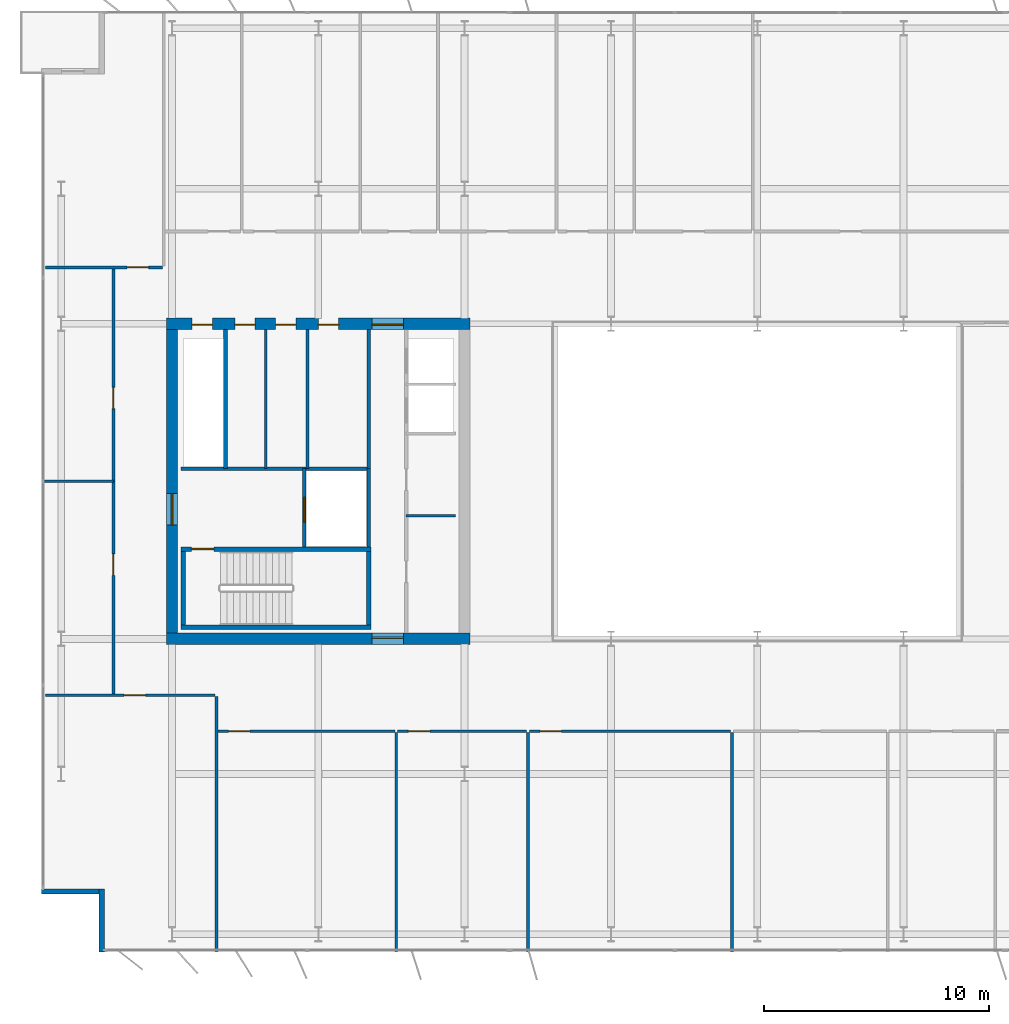
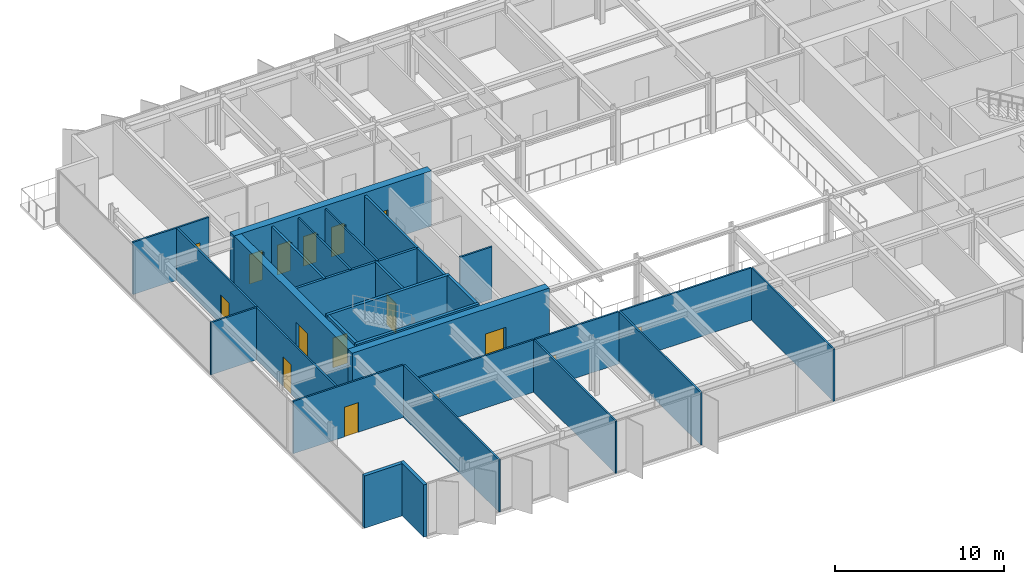
# One storey, part 13 of 20: 29 walls, 16 doors, 16 openings.
"""IFC4 building model written with IfcOpenShell, lengths in metres."""

from ifc_helpers import new_model, si_unit, direction, frame, frame_2d, origin, place, context, subcontext, project, spatial, rectangle, extrude, material, layer, layer_set, type_object, element, fill, save


model = new_model("IFC4")

# Units and contexts
model_context = context("Model", 3, precision=1e-05, world=origin(), true_north=direction((0.0, 1.0)))
body_context = subcontext(model_context, "Body", "Model", "MODEL_VIEW")
ifc_project = project(units=[si_unit("LENGTHUNIT", "METRE"), si_unit("AREAUNIT", "SQUARE_METRE"), si_unit("VOLUMEUNIT", "CUBIC_METRE"), si_unit("PLANEANGLEUNIT", "RADIAN"), si_unit("MASSUNIT", "GRAM", prefix="KILO")], contexts=[model_context])

# Site, building, storey
site_placement = place(None, origin())
site = spatial("IfcSite", under=ifc_project, at=site_placement, CompositionType="ELEMENT")
building_placement = place(site_placement, origin())
building = spatial("IfcBuilding", under=site, at=building_placement, Name="Putna Gate Headquarters", CompositionType="ELEMENT")
storey_placement = place(building_placement, frame((0.0, 0.0, 282.39990234375)))
storey = spatial("IfcBuildingStorey", under=building, at=storey_placement, Name="L71", CompositionType="ELEMENT", Elevation=282.39990234375)

# Wall, opening, door
ifc_material_1 = material(Name="Concrete C50/60", Category="concrete")
ifc_layer_1 = layer(ifc_material_1, 0.5)
ifc_layer_set_1 = layer_set([ifc_layer_1], Name="Concrete C50/60")
wall_type_1 = type_object("IfcWallType", Name="WALL-CORE-500", PredefinedType="SHEAR", material=ifc_layer_set_1)
wall_1_placement = place(storey_placement, frame((12.75, 19.0, 0.0), z_axis=(0.0, 0.0, 1.0), x_axis=(1.0, 0.0, 0.0)))
wall_1 = element("IfcWall", 1, at=wall_1_placement, inside=storey, type_object=wall_type_1, Name="L71 WC Split Core Shear Wall S", PredefinedType="SHEAR", context=body_context, shape_type="SweptSolid", body=[
    extrude(rectangle(XDim=13.5, YDim=0.5, at=frame_2d((6.75, 0.0))), origin(), (0.0, 0.0, 1.0), 4.0),
])
opening_1_placement = place(wall_1_placement, frame((9.1298828125, 0.0, 0.0)))
opening_1 = element("IfcOpeningElement", 2, at=opening_1_placement, cuts=wall_1, Name="Opening FDD-140", PredefinedType="OPENING", context=body_context, shape_type="SweptSolid", body=[
    extrude(rectangle(XDim=1.39990234375, YDim=2.199951171875, at=frame_2d((0.699951171875, 1.10009765625))), frame((0.0, 0.260009765625, 0.0), z_axis=(0.0, -1.0, 0.0), x_axis=(1.0, 0.0, 0.0)), (0.0, 0.0, 1.0), 0.52001953125),
])
ifc_material_2 = material(Name="Double steel fire door", Category="steel")
door_type_1 = type_object("IfcDoorType", Name="DOOR-FIRE-DBL-1400", OperationType="DOUBLE_DOOR_SINGLE_SWING", PredefinedType="DOOR", material=ifc_material_2)
door_1_placement = place(opening_1_placement, origin())
door_1 = element("IfcDoor", 3, at=door_1_placement, inside=storey, type_object=door_type_1, Name="L71 West Lift Lobby South Door", OperationType="DOUBLE_DOOR_SINGLE_SWING", OverallHeight=2.199951171875, OverallWidth=1.39990234375, PredefinedType="DOOR", context=body_context, shape_type="SweptSolid", body=[
    extrude(rectangle(XDim=1.39990234375, YDim=2.199951171875, at=frame_2d((0.699951171875, 1.10009765625))), frame((0.0, 0.0751953125, 0.0), z_axis=(0.0, -1.0, 0.0), x_axis=(1.0, 0.0, 0.0)), (0.0, 0.0, 1.0), 0.050048828125),
])
fill(opening_1, door_1)

# Wall, openings, doors
wall_2_placement = place(storey_placement, frame((12.75, 33.0, 0.0), z_axis=(0.0, 0.0, 1.0), x_axis=(1.0, 0.0, 0.0)))
wall_2 = element("IfcWall", 4, at=wall_2_placement, inside=storey, type_object=wall_type_1, Name="L71 WC Split Core Shear Wall N", PredefinedType="SHEAR", context=body_context, shape_type="SweptSolid", body=[
    extrude(rectangle(XDim=13.5, YDim=0.5, at=frame_2d((6.75, 0.0))), origin(), (0.0, 0.0, 1.0), 4.0),
])
opening_2_placement = place(wall_2_placement, frame((1.14990234375, 0.0, 0.0)))
opening_2 = element("IfcOpeningElement", 5, at=opening_2_placement, cuts=wall_2, Name="Opening RD-90", PredefinedType="OPENING", context=body_context, shape_type="SweptSolid", body=[
    extrude(rectangle(XDim=0.89990234375, YDim=2.14990234375, at=frame_2d((0.449951171875, 1.074951171875))), frame((0.0, 0.260009765625, 0.0), z_axis=(0.0, -1.0, 0.0), x_axis=(1.0, 0.0, 0.0)), (0.0, 0.0, 1.0), 0.52001953125),
])
opening_3_placement = place(wall_2_placement, frame((3.050048828125, 0.0, 0.0)))
opening_3 = element("IfcOpeningElement", 6, at=opening_3_placement, cuts=wall_2, Name="Opening IDS-90", PredefinedType="OPENING", context=body_context, shape_type="SweptSolid", body=[
    extrude(rectangle(XDim=0.89990234375, YDim=2.14990234375, at=frame_2d((0.449951171875, 1.074951171875))), frame((0.0, 0.260009765625, 0.0), z_axis=(0.0, -1.0, 0.0), x_axis=(1.0, 0.0, 0.0)), (0.0, 0.0, 1.0), 0.52001953125),
])
opening_4_placement = place(wall_2_placement, frame((4.85009765625, 0.0, 0.0)))
opening_4 = element("IfcOpeningElement", 7, at=opening_4_placement, cuts=wall_2, Name="Opening IDS-90", PredefinedType="OPENING", context=body_context, shape_type="SweptSolid", body=[
    extrude(rectangle(XDim=0.89990234375, YDim=2.14990234375, at=frame_2d((0.449951171875, 1.074951171875))), frame((0.0, 0.260009765625, 0.0), z_axis=(0.0, -1.0, 0.0), x_axis=(1.0, 0.0, 0.0)), (0.0, 0.0, 1.0), 0.52001953125),
])
opening_5_placement = place(wall_2_placement, frame((6.75, 0.0, 0.0)))
opening_5 = element("IfcOpeningElement", 8, at=opening_5_placement, cuts=wall_2, Name="Opening IDS-90", PredefinedType="OPENING", context=body_context, shape_type="SweptSolid", body=[
    extrude(rectangle(XDim=0.89990234375, YDim=2.14990234375, at=frame_2d((0.449951171875, 1.074951171875))), frame((0.0, 0.260009765625, 0.0), z_axis=(0.0, -1.0, 0.0), x_axis=(1.0, 0.0, 0.0)), (0.0, 0.0, 1.0), 0.52001953125),
])
opening_6_placement = place(wall_2_placement, frame((9.1298828125, 0.0, 0.0)))
opening_6 = element("IfcOpeningElement", 9, at=opening_6_placement, cuts=wall_2, Name="Opening FDD-140", PredefinedType="OPENING", context=body_context, shape_type="SweptSolid", body=[
    extrude(rectangle(XDim=1.39990234375, YDim=2.199951171875, at=frame_2d((0.699951171875, 1.10009765625))), frame((0.0, 0.260009765625, 0.0), z_axis=(0.0, -1.0, 0.0), x_axis=(1.0, 0.0, 0.0)), (0.0, 0.0, 1.0), 0.52001953125),
])
door_2_placement = place(opening_6_placement, origin())
door_2 = element("IfcDoor", 10, at=door_2_placement, inside=storey, type_object=door_type_1, Name="L71 West Lift Lobby North Door", OperationType="DOUBLE_DOOR_SINGLE_SWING", OverallHeight=2.199951171875, OverallWidth=1.39990234375, PredefinedType="DOOR", context=body_context, shape_type="SweptSolid", body=[
    extrude(rectangle(XDim=1.39990234375, YDim=2.199951171875, at=frame_2d((0.699951171875, 1.10009765625))), frame((0.0, -0.02490234375, 0.0), z_axis=(0.0, -1.0, 0.0), x_axis=(1.0, 0.0, 0.0)), (0.0, 0.0, 1.0), 0.050048828125),
])
fill(opening_6, door_2)
ifc_material_3 = material(Name="Fire-rated utility door")
door_type_2 = type_object("IfcDoorType", Name="DOOR-INT-900", OperationType="NOTDEFINED", PredefinedType="DOOR", material=ifc_material_3)
door_3_placement = place(opening_3_placement, origin())
door_3 = element("IfcDoor", 11, at=door_3_placement, inside=storey, type_object=door_type_2, Name="L71 Janitor Cupboard Door", OperationType="SINGLE_SWING_LEFT", OverallHeight=2.14990234375, OverallWidth=0.89990234375, PredefinedType="DOOR", context=body_context, shape_type="SweptSolid", body=[
    extrude(rectangle(XDim=0.89990234375, YDim=2.14990234375, at=frame_2d((0.449951171875, 1.074951171875))), frame((0.0, -0.02490234375, 0.0), z_axis=(0.0, -1.0, 0.0), x_axis=(1.0, 0.0, 0.0)), (0.0, 0.0, 1.0), 0.050048828125),
])
fill(opening_3, door_3)
door_4_placement = place(opening_4_placement, origin())
door_4 = element("IfcDoor", 12, at=door_4_placement, inside=storey, type_object=door_type_2, Name="L71 IT Patch Plant Door", OperationType="SINGLE_SWING_RIGHT", OverallHeight=2.14990234375, OverallWidth=0.89990234375, PredefinedType="DOOR", context=body_context, shape_type="SweptSolid", body=[
    extrude(rectangle(XDim=0.89990234375, YDim=2.14990234375, at=frame_2d((0.449951171875, 1.074951171875))), frame((0.0, -0.02490234375, 0.0), z_axis=(0.0, -1.0, 0.0), x_axis=(1.0, 0.0, 0.0)), (0.0, 0.0, 1.0), 0.050048828125),
])
fill(opening_4, door_4)
door_5_placement = place(opening_5_placement, origin())
door_5 = element("IfcDoor", 13, at=door_5_placement, inside=storey, type_object=door_type_2, Name="L71 Building Records Store Door", OperationType="SINGLE_SWING_LEFT", OverallHeight=2.14990234375, OverallWidth=0.89990234375, PredefinedType="DOOR", context=body_context, shape_type="SweptSolid", body=[
    extrude(rectangle(XDim=0.89990234375, YDim=2.14990234375, at=frame_2d((0.449951171875, 1.074951171875))), frame((0.0, -0.02490234375, 0.0), z_axis=(0.0, -1.0, 0.0), x_axis=(1.0, 0.0, 0.0)), (0.0, 0.0, 1.0), 0.050048828125),
])
fill(opening_5, door_5)
ifc_material_4 = material(Name="Steel riser access fire door", Category="steel")
door_type_3 = type_object("IfcDoorType", Name="DOOR-RISER-900", OperationType="NOTDEFINED", PredefinedType="DOOR", material=ifc_material_4)
door_6_placement = place(opening_2_placement, origin())
door_6 = element("IfcDoor", 14, at=door_6_placement, inside=storey, type_object=door_type_3, Name="L71 West Riser Access Door", OperationType="SINGLE_SWING_RIGHT", OverallHeight=2.14990234375, OverallWidth=0.89990234375, PredefinedType="DOOR", context=body_context, shape_type="SweptSolid", body=[
    extrude(rectangle(XDim=0.89990234375, YDim=2.14990234375, at=frame_2d((0.449951171875, 1.074951171875))), frame((0.0, -0.02490234375, 0.0), z_axis=(0.0, -1.0, 0.0), x_axis=(1.0, 0.0, 0.0)), (0.0, 0.0, 1.0), 0.050048828125),
])
fill(opening_2, door_6)

# Wall, opening, door
wall_3_placement = place(storey_placement, frame((13.0, 19.25, 0.0), z_axis=(0.0, 0.0, 1.0), x_axis=(0.0, 1.0, 0.0)))
wall_3 = element("IfcWall", 15, at=wall_3_placement, inside=storey, type_object=wall_type_1, Name="L71 WC Split Core Shear Wall W", PredefinedType="SHEAR", context=body_context, shape_type="SweptSolid", body=[
    extrude(rectangle(XDim=13.5, YDim=0.5, at=frame_2d((6.75, 0.0))), origin(), (0.0, 0.0, 1.0), 4.0),
])
opening_7_placement = place(wall_3_placement, frame((4.800048828125, 0.0, 0.0)))
opening_7 = element("IfcOpeningElement", 16, at=opening_7_placement, cuts=wall_3, Name="Opening FDD-140", PredefinedType="OPENING", context=body_context, shape_type="SweptSolid", body=[
    extrude(rectangle(XDim=1.39990234375, YDim=2.199951171875, at=frame_2d((0.699951171875, 1.10009765625))), frame((0.0, 0.260009765625, 0.0), z_axis=(0.0, -1.0, 0.0), x_axis=(1.0, 0.0, 0.0)), (0.0, 0.0, 1.0), 0.52001953125),
])
door_7_placement = place(opening_7_placement, origin())
door_7 = element("IfcDoor", 17, at=door_7_placement, inside=storey, type_object=door_type_1, Name="L71 West Firefighting Lobby Door", OperationType="DOUBLE_DOOR_SINGLE_SWING", OverallHeight=2.199951171875, OverallWidth=1.39990234375, PredefinedType="DOOR", context=body_context, shape_type="SweptSolid", body=[
    extrude(rectangle(XDim=1.39990234375, YDim=2.199951171875, at=frame_2d((0.699951171875, 1.10009765625))), frame((0.0, 0.02490234375, 0.0), z_axis=(0.0, -1.0, 0.0), x_axis=(1.0, 0.0, 0.0)), (0.0, 0.0, 1.0), 0.050048828125),
])
fill(opening_7, door_7)

# Walls
ifc_material_5 = material(Name="Precast concrete C40/50", Category="concrete")
ifc_layer_2 = layer(ifc_material_5, 0.239990234375)
ifc_layer_set_2 = layer_set([ifc_layer_2], Name="Precast concrete C40/50")
wall_type_2 = type_object("IfcWallType", Name="WALL-EXT-TERR-240", PredefinedType="STANDARD", material=ifc_layer_set_2)
wall_4_placement = place(storey_placement, frame((9.8798828125, 5.10009765625, 0.0), z_axis=(0.0, 0.0, 1.0), x_axis=(0.0, 1.0, 0.0)))
element("IfcWall", 18, at=wall_4_placement, inside=storey, type_object=wall_type_2, Name="L71 Corner Notch Return Wall SW-V", PredefinedType="STANDARD", context=body_context, shape_type="SweptSolid", body=[
    extrude(rectangle(XDim=2.7998046875, YDim=0.239990234375, at=frame_2d((1.39990234375, 0.0))), origin(), (0.0, 0.0, 1.0), 3.7880859375),
])
wall_5_placement = place(storey_placement, frame((10.0, 7.780029296875, 0.0), z_axis=(0.0, 0.0, 1.0), x_axis=(-1.0, 0.0, 0.0)))
element("IfcWall", 19, at=wall_5_placement, inside=storey, type_object=wall_type_2, Name="L71 Corner Notch Return Wall SW-H", PredefinedType="STANDARD", context=body_context, shape_type="SweptSolid", body=[
    extrude(rectangle(XDim=2.800048828125, YDim=0.239990234375, at=frame_2d((1.39990234375, 0.0))), origin(), (0.0, 0.0, 1.0), 3.7880859375),
])
ifc_material_6 = material(Name="Acoustic gypsum board on metal stud")
ifc_layer_3 = layer(ifc_material_6, 0.1201171875)
ifc_layer_set_3 = layer_set([ifc_layer_3], Name="Acoustic gypsum board on metal stud")
wall_type_3 = type_object("IfcWallType", Name="WALL-PART-120", PredefinedType="PARTITIONING", material=ifc_layer_set_3)
wall_6_placement = place(storey_placement, frame((14.975830078125, 5.1201171875, 0.0), z_axis=(0.0, 0.0, 1.0), x_axis=(0.0, 1.0, 0.0)))
element("IfcWall", 20, at=wall_6_placement, inside=storey, type_object=wall_type_3, Name="L71 Interior Wall PART-L71-SB-DIV-01", PredefinedType="PARTITIONING", context=body_context, shape_type="SweptSolid", body=[
    extrude(rectangle(XDim=11.31982421875, YDim=0.1201171875, at=frame_2d((5.659912109375, 0.0))), origin(), (0.0, 0.0, 1.0), 3.7880859375),
])
for number, where, z_axis, x_axis, name in (
    (21, (22.96240234375, 5.1201171875, 0.0), (0.0, 0.0, 1.0), (0.0, 1.0, 0.0), "L71 Interior Wall PART-L71-SB-DIV-02"),
    (22, (28.813720703125, 5.1201171875, 0.0), (0.0, 0.0, 1.0), (0.0, 1.0, 0.0), "L71 Interior Wall PART-L71-SB-DIV-03"),
    (23, (37.8740234375, 5.1201171875, 0.0), (0.0, 0.0, 1.0), (0.0, 1.0, 0.0), "L71 Interior Wall PART-L71-SB-DIV-04"),
):
    element("IfcWall", number, at=place(storey_placement, frame(where, z_axis=z_axis, x_axis=x_axis)), inside=storey, type_object=wall_type_3, Name=name, PredefinedType="PARTITIONING", context=body_context, shape_type="SweptSolid", body=[
        extrude(rectangle(XDim=9.719970703125, YDim=0.1201171875, at=frame_2d((4.85986328125, 0.0))), origin(), (0.0, 0.0, 1.0), 3.7880859375),
    ])
wall_7_placement = place(storey_placement, frame((7.219970703125, 26.0, 0.0), z_axis=(0.0, 0.0, 1.0), x_axis=(1.0, 0.0, 0.0)))
element("IfcWall", 24, at=wall_7_placement, inside=storey, type_object=wall_type_3, Name="L71 Interior Wall PART-L71-WW-DIV-1", PredefinedType="PARTITIONING", context=body_context, shape_type="SweptSolid", body=[
    extrude(rectangle(XDim=3.179931640625, YDim=0.1201171875, at=frame_2d((1.58984375, 0.0))), origin(), (0.0, 0.0, 1.0), 3.7880859375),
])
ifc_material_7 = material(Name="Fire-rated gypsum board on metal stud")
ifc_layer_4 = layer(ifc_material_7, 0.1201171875)
ifc_layer_set_4 = layer_set([ifc_layer_4], Name="Fire-rated gypsum board on metal stud")
wall_type_4 = type_object("IfcWallType", Name="WALL-PART-120-RATED", PredefinedType="PARTITIONING", material=ifc_layer_set_4)
for number, where, z_axis, x_axis, name in (
    (25, (17.169921875, 26.56005859375, 0.0), (0.0, 0.0, 1.0), (0.0, 1.0, 0.0), "L71 Interior Wall CWINT-L71-WC-K2-D1"),
    (26, (19.02001953125, 26.56005859375, 0.0), (0.0, 0.0, 1.0), (0.0, 1.0, 0.0), "L71 Interior Wall CWINT-L71-WC-K2-D2"),
):
    element("IfcWall", number, at=place(storey_placement, frame(where, z_axis=z_axis, x_axis=x_axis)), inside=storey, type_object=wall_type_4, Name=name, PredefinedType="PARTITIONING", context=body_context, shape_type="SweptSolid", body=[
        extrude(rectangle(XDim=6.18994140625, YDim=0.1201171875, at=frame_2d((3.094970703125, 0.0))), origin(), (0.0, 0.0, 1.0), 3.7880859375),
    ])
wall_8_placement = place(storey_placement, frame((23.39990234375, 24.469970703125, 0.0), z_axis=(0.0, 0.0, 1.0), x_axis=(1.0, 0.0, 0.0)))
element("IfcWall", 27, at=wall_8_placement, inside=storey, type_object=wall_type_4, Name="L71 Interior Wall CWINT-L71-WC-REUSE-DIV", PredefinedType="PARTITIONING", context=body_context, shape_type="SweptSolid", body=[
    extrude(rectangle(XDim=2.2001953125, YDim=0.1201171875, at=frame_2d((1.10009765625, 0.0))), origin(), (0.0, 0.0, 1.0), 3.7880859375),
])

# Wall, opening, door
wall_9_placement = place(storey_placement, frame((7.3798828125, 35.5, 0.0), z_axis=(0.0, 0.0, 1.0), x_axis=(1.0, 0.0, 0.0)))
wall_9 = element("IfcWall", 28, at=wall_9_placement, inside=storey, type_object=wall_type_4, Name="L71 Interior Wall PART-L71-NB-CW-01", PredefinedType="PARTITIONING", context=body_context, shape_type="SweptSolid", body=[
    extrude(rectangle(XDim=5.197998046875, YDim=0.1201171875, at=frame_2d((2.59912109375, 0.0))), origin(), (0.0, 0.0, 1.0), 3.7880859375),
])
opening_8_placement = place(wall_9_placement, frame((3.634033203125, 0.0, 0.0)))
opening_8 = element("IfcOpeningElement", 29, at=opening_8_placement, cuts=wall_9, Name="Opening FD-95", PredefinedType="OPENING", context=body_context, shape_type="SweptSolid", body=[
    extrude(rectangle(XDim=0.949951171875, YDim=2.14990234375, at=frame_2d((0.47509765625, 1.074951171875))), frame((0.0, 0.070068359375, 0.0), z_axis=(0.0, -1.0, 0.0), x_axis=(1.0, 0.0, 0.0)), (0.0, 0.0, 1.0), 0.14013671875),
])
ifc_material_8 = material(Name="Acoustic timber fire door", Category="wood")
door_type_4 = type_object("IfcDoorType", Name="DOOR-FIRE-950", OperationType="NOTDEFINED", PredefinedType="DOOR", material=ifc_material_8)
door_8_placement = place(opening_8_placement, origin())
door_8 = element("IfcDoor", 30, at=door_8_placement, inside=storey, type_object=door_type_4, Name="L71 Collaborative Breakout Lounge 3 Door", OperationType="SINGLE_SWING_RIGHT", OverallHeight=2.14990234375, OverallWidth=0.949951171875, PredefinedType="DOOR", context=body_context, shape_type="SweptSolid", body=[
    extrude(rectangle(XDim=0.949951171875, YDim=2.14990234375, at=frame_2d((0.47509765625, 1.074951171875))), frame((0.0, 0.02490234375, 0.0), z_axis=(0.0, -1.0, 0.0), x_axis=(1.0, 0.0, 0.0)), (0.0, 0.0, 1.0), 0.050048828125),
])
fill(opening_8, door_8)

wall_10_placement = place(storey_placement, frame((7.3798828125, 16.5, 0.0), z_axis=(0.0, 0.0, 1.0), x_axis=(1.0, 0.0, 0.0)))
wall_10 = element("IfcWall", 31, at=wall_10_placement, inside=storey, type_object=wall_type_4, Name="L71 Interior Wall PART-L71-SB-CW-01", PredefinedType="PARTITIONING", context=body_context, shape_type="SweptSolid", body=[
    extrude(rectangle(XDim=7.5361328125, YDim=0.1201171875, at=frame_2d((3.76806640625, 0.0))), origin(), (0.0, 0.0, 1.0), 3.7880859375),
])
opening_9_placement = place(wall_10_placement, frame((3.5, 0.0, 0.0)))
opening_9 = element("IfcOpeningElement", 32, at=opening_9_placement, cuts=wall_10, Name="Opening FD-95", PredefinedType="OPENING", context=body_context, shape_type="SweptSolid", body=[
    extrude(rectangle(XDim=0.949951171875, YDim=2.14990234375, at=frame_2d((0.47509765625, 1.074951171875))), frame((0.0, 0.070068359375, 0.0), z_axis=(0.0, -1.0, 0.0), x_axis=(1.0, 0.0, 0.0)), (0.0, 0.0, 1.0), 0.14013671875),
])
door_9_placement = place(opening_9_placement, origin())
door_9 = element("IfcDoor", 33, at=door_9_placement, inside=storey, type_object=door_type_4, Name="L71 Cellular Office 1 Door", OperationType="SINGLE_SWING_LEFT", OverallHeight=2.14990234375, OverallWidth=0.949951171875, PredefinedType="DOOR", context=body_context, shape_type="SweptSolid", body=[
    extrude(rectangle(XDim=0.949951171875, YDim=2.14990234375, at=frame_2d((0.47509765625, 1.074951171875))), frame((0.0, 0.02490234375, 0.0), z_axis=(0.0, -1.0, 0.0), x_axis=(1.0, 0.0, 0.0)), (0.0, 0.0, 1.0), 0.050048828125),
])
fill(opening_9, door_9)

wall_11_placement = place(storey_placement, frame((15.035888671875, 14.89990234375, 0.0), z_axis=(0.0, 0.0, 1.0), x_axis=(1.0, 0.0, 0.0)))
wall_11 = element("IfcWall", 34, at=wall_11_placement, inside=storey, type_object=wall_type_4, Name="L71 Interior Wall PART-L71-SB-CW-02", PredefinedType="PARTITIONING", context=body_context, shape_type="SweptSolid", body=[
    extrude(rectangle(XDim=7.866455078125, YDim=0.1201171875, at=frame_2d((3.93310546875, 0.0))), origin(), (0.0, 0.0, 1.0), 3.7880859375),
])
opening_10_placement = place(wall_11_placement, frame((0.47998046875, 0.0, 0.0)))
opening_10 = element("IfcOpeningElement", 35, at=opening_10_placement, cuts=wall_11, Name="Opening FD-95", PredefinedType="OPENING", context=body_context, shape_type="SweptSolid", body=[
    extrude(rectangle(XDim=0.949951171875, YDim=2.14990234375, at=frame_2d((0.47509765625, 1.074951171875))), frame((0.0, 0.070068359375, 0.0), z_axis=(0.0, -1.0, 0.0), x_axis=(1.0, 0.0, 0.0)), (0.0, 0.0, 1.0), 0.14013671875),
])
door_10_placement = place(opening_10_placement, origin())
door_10 = element("IfcDoor", 36, at=door_10_placement, inside=storey, type_object=door_type_4, Name="L71 Conference Meeting Room 2 Door", OperationType="SINGLE_SWING_RIGHT", OverallHeight=2.14990234375, OverallWidth=0.949951171875, PredefinedType="DOOR", context=body_context, shape_type="SweptSolid", body=[
    extrude(rectangle(XDim=0.949951171875, YDim=2.14990234375, at=frame_2d((0.47509765625, 1.074951171875))), frame((0.0, 0.02490234375, 0.0), z_axis=(0.0, -1.0, 0.0), x_axis=(1.0, 0.0, 0.0)), (0.0, 0.0, 1.0), 0.050048828125),
])
fill(opening_10, door_10)

wall_12_placement = place(storey_placement, frame((23.022216796875, 14.89990234375, 0.0), z_axis=(0.0, 0.0, 1.0), x_axis=(1.0, 0.0, 0.0)))
wall_12 = element("IfcWall", 37, at=wall_12_placement, inside=storey, type_object=wall_type_4, Name="L71 Interior Wall PART-L71-SB-CW-03", PredefinedType="PARTITIONING", context=body_context, shape_type="SweptSolid", body=[
    extrude(rectangle(XDim=5.731689453125, YDim=0.1201171875, at=frame_2d((2.86572265625, 0.0))), origin(), (0.0, 0.0, 1.0), 3.7880859375),
])
opening_11_placement = place(wall_12_placement, frame((0.47998046875, 0.0, 0.0)))
opening_11 = element("IfcOpeningElement", 38, at=opening_11_placement, cuts=wall_12, Name="Opening FD-95", PredefinedType="OPENING", context=body_context, shape_type="SweptSolid", body=[
    extrude(rectangle(XDim=0.949951171875, YDim=2.14990234375, at=frame_2d((0.47509765625, 1.074951171875))), frame((0.0, 0.070068359375, 0.0), z_axis=(0.0, -1.0, 0.0), x_axis=(1.0, 0.0, 0.0)), (0.0, 0.0, 1.0), 0.14013671875),
])
door_11_placement = place(opening_11_placement, origin())
door_11 = element("IfcDoor", 39, at=door_11_placement, inside=storey, type_object=door_type_4, Name="L71 Conference Meeting Room 3 Door", OperationType="SINGLE_SWING_LEFT", OverallHeight=2.14990234375, OverallWidth=0.949951171875, PredefinedType="DOOR", context=body_context, shape_type="SweptSolid", body=[
    extrude(rectangle(XDim=0.949951171875, YDim=2.14990234375, at=frame_2d((0.47509765625, 1.074951171875))), frame((0.0, 0.02490234375, 0.0), z_axis=(0.0, -1.0, 0.0), x_axis=(1.0, 0.0, 0.0)), (0.0, 0.0, 1.0), 0.050048828125),
])
fill(opening_11, door_11)

wall_13_placement = place(storey_placement, frame((28.873779296875, 14.89990234375, 0.0), z_axis=(0.0, 0.0, 1.0), x_axis=(1.0, 0.0, 0.0)))
wall_13 = element("IfcWall", 40, at=wall_13_placement, inside=storey, type_object=wall_type_4, Name="L71 Interior Wall PART-L71-SB-CW-04", PredefinedType="PARTITIONING", context=body_context, shape_type="SweptSolid", body=[
    extrude(rectangle(XDim=8.9404296875, YDim=0.1201171875, at=frame_2d((4.47021484375, 0.0))), origin(), (0.0, 0.0, 1.0), 3.7880859375),
])
opening_12_placement = place(wall_13_placement, frame((0.47998046875, 0.0, 0.0)))
opening_12 = element("IfcOpeningElement", 41, at=opening_12_placement, cuts=wall_13, Name="Opening FD-95", PredefinedType="OPENING", context=body_context, shape_type="SweptSolid", body=[
    extrude(rectangle(XDim=0.949951171875, YDim=2.14990234375, at=frame_2d((0.47509765625, 1.074951171875))), frame((0.0, 0.070068359375, 0.0), z_axis=(0.0, -1.0, 0.0), x_axis=(1.0, 0.0, 0.0)), (0.0, 0.0, 1.0), 0.14013671875),
])
door_12_placement = place(opening_12_placement, origin())
door_12 = element("IfcDoor", 42, at=door_12_placement, inside=storey, type_object=door_type_4, Name="L71 Conference Meeting Room 4 Door", OperationType="SINGLE_SWING_RIGHT", OverallHeight=2.14990234375, OverallWidth=0.949951171875, PredefinedType="DOOR", context=body_context, shape_type="SweptSolid", body=[
    extrude(rectangle(XDim=0.949951171875, YDim=2.14990234375, at=frame_2d((0.47509765625, 1.074951171875))), frame((0.0, 0.02490234375, 0.0), z_axis=(0.0, -1.0, 0.0), x_axis=(1.0, 0.0, 0.0)), (0.0, 0.0, 1.0), 0.050048828125),
])
fill(opening_12, door_12)

wall_14_placement = place(storey_placement, frame((10.39990234375, 16.5, 0.0), z_axis=(0.0, 0.0, 1.0), x_axis=(0.0, 1.0, 0.0)))
wall_14 = element("IfcWall", 43, at=wall_14_placement, inside=storey, type_object=wall_type_4, Name="L71 Interior Wall PART-L71-WW-CW-1", PredefinedType="PARTITIONING", context=body_context, shape_type="SweptSolid", body=[
    extrude(rectangle(XDim=9.5, YDim=0.1201171875, at=frame_2d((4.75, 0.0))), origin(), (0.0, 0.0, 1.0), 3.7880859375),
])
opening_13_placement = place(wall_14_placement, frame((5.324951171875, 0.0, 0.0)))
opening_13 = element("IfcOpeningElement", 44, at=opening_13_placement, cuts=wall_14, Name="Opening FD-95", PredefinedType="OPENING", context=body_context, shape_type="SweptSolid", body=[
    extrude(rectangle(XDim=0.949951171875, YDim=2.14990234375, at=frame_2d((0.47509765625, 1.074951171875))), frame((0.0, 0.070068359375, 0.0), z_axis=(0.0, -1.0, 0.0), x_axis=(1.0, 0.0, 0.0)), (0.0, 0.0, 1.0), 0.14013671875),
])
door_13_placement = place(opening_13_placement, origin())
door_13 = element("IfcDoor", 45, at=door_13_placement, inside=storey, type_object=door_type_4, Name="L71 West Executive Office 1 Door", OperationType="SINGLE_SWING_RIGHT", OverallHeight=2.14990234375, OverallWidth=0.949951171875, PredefinedType="DOOR", context=body_context, shape_type="SweptSolid", body=[
    extrude(rectangle(XDim=0.949951171875, YDim=2.14990234375, at=frame_2d((0.47509765625, 1.074951171875))), frame((0.0, 0.02490234375, 0.0), z_axis=(0.0, -1.0, 0.0), x_axis=(1.0, 0.0, 0.0)), (0.0, 0.0, 1.0), 0.050048828125),
])
fill(opening_13, door_13)

wall_15_placement = place(storey_placement, frame((10.39990234375, 26.0, 0.0), z_axis=(0.0, 0.0, 1.0), x_axis=(0.0, 1.0, 0.0)))
wall_15 = element("IfcWall", 46, at=wall_15_placement, inside=storey, type_object=wall_type_4, Name="L71 Interior Wall PART-L71-WW-CW-2", PredefinedType="PARTITIONING", context=body_context, shape_type="SweptSolid", body=[
    extrude(rectangle(XDim=9.5, YDim=0.1201171875, at=frame_2d((4.75, 0.0))), origin(), (0.0, 0.0, 1.0), 3.7880859375),
])
opening_14_placement = place(wall_15_placement, frame((3.22509765625, 0.0, 0.0)))
opening_14 = element("IfcOpeningElement", 47, at=opening_14_placement, cuts=wall_15, Name="Opening FD-95", PredefinedType="OPENING", context=body_context, shape_type="SweptSolid", body=[
    extrude(rectangle(XDim=0.949951171875, YDim=2.14990234375, at=frame_2d((0.47509765625, 1.074951171875))), frame((0.0, 0.070068359375, 0.0), z_axis=(0.0, -1.0, 0.0), x_axis=(1.0, 0.0, 0.0)), (0.0, 0.0, 1.0), 0.14013671875),
])
door_14_placement = place(opening_14_placement, origin())
door_14 = element("IfcDoor", 48, at=door_14_placement, inside=storey, type_object=door_type_4, Name="L71 West Executive Office 2 Door", OperationType="SINGLE_SWING_LEFT", OverallHeight=2.14990234375, OverallWidth=0.949951171875, PredefinedType="DOOR", context=body_context, shape_type="SweptSolid", body=[
    extrude(rectangle(XDim=0.949951171875, YDim=2.14990234375, at=frame_2d((0.47509765625, 1.074951171875))), frame((0.0, 0.02490234375, 0.0), z_axis=(0.0, -1.0, 0.0), x_axis=(1.0, 0.0, 0.0)), (0.0, 0.0, 1.0), 0.050048828125),
])
fill(opening_14, door_14)

# Wall
ifc_material_9 = material(Name="Concrete C40/50", Category="concrete")
ifc_layer_5 = layer(ifc_material_9, 0.159912109375)
ifc_layer_set_5 = layer_set([ifc_layer_5], Name="Concrete C40/50")
wall_type_5 = type_object("IfcWallType", Name="WALL-SHAFT-160", PredefinedType="STANDARD", material=ifc_layer_set_5)
wall_16_placement = place(storey_placement, frame((21.739990234375, 23.090087890625, 0.0), z_axis=(0.0, 0.0, 1.0), x_axis=(0.0, 1.0, 0.0)))
element("IfcWall", 49, at=wall_16_placement, inside=storey, type_object=wall_type_5, Name="L71 Interior Wall CWINT-L71-WC-FFL-E", PredefinedType="STANDARD", context=body_context, shape_type="SweptSolid", body=[
    extrude(rectangle(XDim=3.469970703125, YDim=0.159912109375, at=frame_2d((1.73486328125, 0.0))), origin(), (0.0, 0.0, 1.0), 3.7880859375),
])

# Wall, opening, door
wall_17_placement = place(storey_placement, frame((18.8798828125, 23.090087890625, 0.0), z_axis=(0.0, 0.0, 1.0), x_axis=(0.0, 1.0, 0.0)))
wall_17 = element("IfcWall", 50, at=wall_17_placement, inside=storey, type_object=wall_type_5, Name="L71 Interior Wall CWINT-L71-WC-LF13-W", PredefinedType="STANDARD", context=body_context, shape_type="SweptSolid", body=[
    extrude(rectangle(XDim=3.469970703125, YDim=0.159912109375, at=frame_2d((1.73486328125, 0.0))), origin(), (0.0, 0.0, 1.0), 3.7880859375),
])
opening_15_placement = place(wall_17_placement, frame((1.10009765625, 0.0, 0.0)))
opening_15 = element("IfcOpeningElement", 51, at=opening_15_placement, cuts=wall_17, Name="Opening LD-1", PredefinedType="OPENING", context=body_context, shape_type="SweptSolid", body=[
    extrude(rectangle(XDim=1.10009765625, YDim=2.199951171875, at=frame_2d((0.550048828125, 1.10009765625))), frame((0.0, 0.08984375, 0.0), z_axis=(0.0, -1.0, 0.0), x_axis=(1.0, 0.0, 0.0)), (0.0, 0.0, 1.0), 0.179931640625),
])
ifc_material_10 = material(Name="Brushed bronze stainless lift landing door")
door_type_5 = type_object("IfcDoorType", Name="DOOR-LIFT-1100", OperationType="DOUBLE_DOOR_SLIDING", PredefinedType="DOOR", material=ifc_material_10)
door_15_placement = place(opening_15_placement, origin())
door_15 = element("IfcDoor", 52, at=door_15_placement, inside=storey, type_object=door_type_5, Name="L71 Lift Landing Door LD-13", OperationType="DOUBLE_DOOR_SLIDING", OverallHeight=2.199951171875, OverallWidth=1.10009765625, PredefinedType="DOOR", context=body_context, shape_type="SweptSolid", body=[
    extrude(rectangle(XDim=1.10009765625, YDim=2.199951171875, at=frame_2d((0.550048828125, 1.10009765625))), frame((0.0, 0.02490234375, 0.0), z_axis=(0.0, -1.0, 0.0), x_axis=(1.0, 0.0, 0.0)), (0.0, 0.0, 1.0), 0.050048828125),
])
fill(opening_15, door_15)

# Walls
wall_18_placement = place(storey_placement, frame((13.39990234375, 26.56005859375, 0.0), z_axis=(0.0, 0.0, 1.0), x_axis=(1.0, 0.0, 0.0)))
element("IfcWall", 53, at=wall_18_placement, inside=storey, type_object=wall_type_5, Name="L71 Interior Wall CWINT-L71-WC-FFL-N", PredefinedType="STANDARD", context=body_context, shape_type="SweptSolid", body=[
    extrude(rectangle(XDim=8.340087890625, YDim=0.159912109375, at=frame_2d((4.169921875, 0.0))), origin(), (0.0, 0.0, 1.0), 3.7880859375),
])
for number, where, z_axis, x_axis, name in (
    (54, (15.3798828125, 26.56005859375, 0.0), (0.0, 0.0, 1.0), (0.0, 1.0, 0.0), "L71 Interior Wall CWINT-L71-WC-RISER-E"),
    (55, (21.739990234375, 26.56005859375, 0.0), (0.0, 0.0, 1.0), (0.0, 1.0, 0.0), "L71 Interior Wall CWINT-L71-WC-LOB-W"),
):
    element("IfcWall", number, at=place(storey_placement, frame(where, z_axis=z_axis, x_axis=x_axis)), inside=storey, type_object=wall_type_5, Name=name, PredefinedType="STANDARD", context=body_context, shape_type="SweptSolid", body=[
        extrude(rectangle(XDim=6.18994140625, YDim=0.159912109375, at=frame_2d((3.094970703125, 0.0))), origin(), (0.0, 0.0, 1.0), 3.7880859375),
    ])
ifc_layer_6 = layer(ifc_material_9, 0.199951171875)
ifc_layer_set_6 = layer_set([ifc_layer_6], Name="Concrete C40/50")
wall_type_6 = type_object("IfcWallType", Name="WALL-SHAFT-RC200", PredefinedType="SHEAR", material=ifc_layer_set_6)
wall_19_placement = place(storey_placement, frame((13.409912109375, 19.510009765625, 0.0), z_axis=(0.0, 0.0, 1.0), x_axis=(1.0, 0.0, 0.0)))
element("IfcWall", 56, at=wall_19_placement, inside=storey, type_object=wall_type_6, Name="L71 Stair ST1 Structural Shaft Wall S", PredefinedType="SHEAR", context=body_context, shape_type="SweptSolid", body=[
    extrude(rectangle(XDim=8.43017578125, YDim=0.199951171875, at=frame_2d((4.215087890625, 0.0))), origin(), (0.0, 0.0, 1.0), 4.0),
])

# Wall, opening, door
wall_20_placement = place(storey_placement, frame((13.409912109375, 22.989990234375, 0.0), z_axis=(0.0, 0.0, 1.0), x_axis=(1.0, 0.0, 0.0)))
wall_20 = element("IfcWall", 57, at=wall_20_placement, inside=storey, type_object=wall_type_6, Name="L71 Stair ST1 Structural Shaft Wall N", PredefinedType="SHEAR", context=body_context, shape_type="SweptSolid", body=[
    extrude(rectangle(XDim=8.43017578125, YDim=0.199951171875, at=frame_2d((4.215087890625, 0.0))), origin(), (0.0, 0.0, 1.0), 4.0),
])
opening_16_placement = place(wall_20_placement, frame((0.449951171875, 0.0, 0.0)))
opening_16 = element("IfcOpeningElement", 58, at=opening_16_placement, cuts=wall_20, Name="Opening FD-100", PredefinedType="OPENING", context=body_context, shape_type="SweptSolid", body=[
    extrude(rectangle(XDim=1.0, YDim=2.14990234375, at=frame_2d((0.5, 1.074951171875))), frame((0.0, 0.10986328125, 0.0), z_axis=(0.0, -1.0, 0.0), x_axis=(1.0, 0.0, 0.0)), (0.0, 0.0, 1.0), 0.219970703125),
])
ifc_material_11 = material(Name="Powder-coated steel fire door", Category="steel")
door_type_6 = type_object("IfcDoorType", Name="DOOR-FIRE-1000", OperationType="NOTDEFINED", PredefinedType="DOOR", material=ifc_material_11)
door_16_placement = place(opening_16_placement, origin())
door_16 = element("IfcDoor", 59, at=door_16_placement, inside=storey, type_object=door_type_6, Name="L71 Stair ST1 Fire Door", OperationType="SINGLE_SWING_LEFT", OverallHeight=2.14990234375, OverallWidth=1.0, PredefinedType="DOOR", context=body_context, shape_type="SweptSolid", body=[
    extrude(rectangle(XDim=1.0, YDim=2.14990234375, at=frame_2d((0.5, 1.074951171875))), frame((0.0, 0.02490234375, 0.0), z_axis=(0.0, -1.0, 0.0), x_axis=(1.0, 0.0, 0.0)), (0.0, 0.0, 1.0), 0.050048828125),
])
fill(opening_16, door_16)

# Walls
for number, where, z_axis, x_axis, name in (
    (60, (13.510009765625, 19.610107421875, 0.0), (0.0, 0.0, 1.0), (0.0, 1.0, 0.0), "L71 Stair ST1 Structural Shaft Wall W"),
    (61, (21.739990234375, 19.610107421875, 0.0), (0.0, 0.0, 1.0), (0.0, 1.0, 0.0), "L71 Stair ST1 Structural Shaft Wall E"),
):
    element("IfcWall", number, at=place(storey_placement, frame(where, z_axis=z_axis, x_axis=x_axis)), inside=storey, type_object=wall_type_6, Name=name, PredefinedType="SHEAR", context=body_context, shape_type="SweptSolid", body=[
        extrude(rectangle(XDim=3.27978515625, YDim=0.199951171875, at=frame_2d((1.639892578125, 0.0))), origin(), (0.0, 0.0, 1.0), 4.0),
    ])

save(model, "model.ifc")
